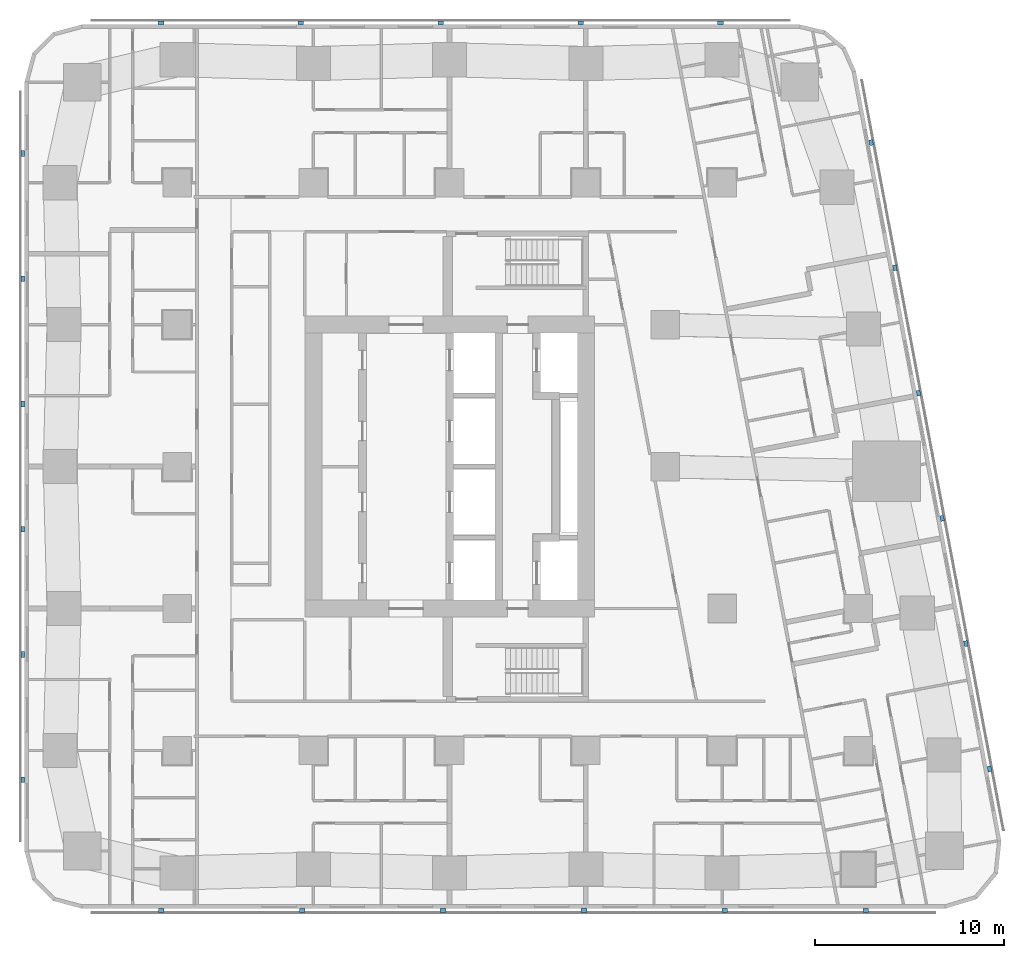
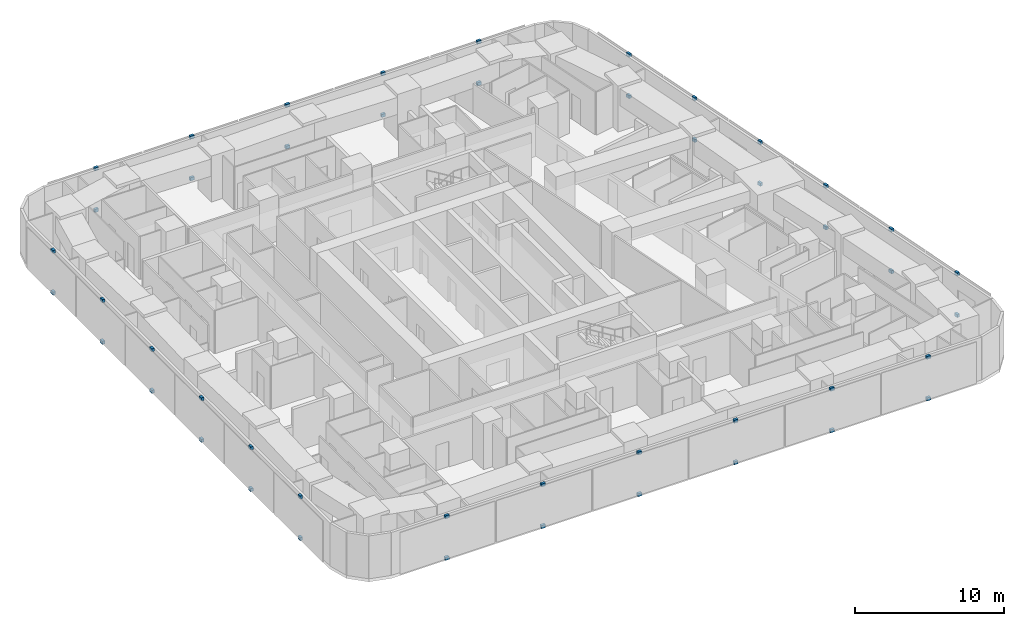
# One storey, part 12 of 15: 46 discrete accessories.
"""IFC4 building model written with IfcOpenShell, lengths in metres."""

from ifc_helpers import new_model, si_unit, direction, frame, origin, origin_2d, place, context, subcontext, project, spatial, rectangle, extrude, material, type_object, element, save


model = new_model("IFC4")

# Units and contexts
model_context = context("Model", 3, precision=1e-05, world=origin(), true_north=direction((0.0, 1.0)))
body_context = subcontext(model_context, "Body", "Model", "MODEL_VIEW")
ifc_project = project(units=[si_unit("LENGTHUNIT", "METRE"), si_unit("AREAUNIT", "SQUARE_METRE"), si_unit("VOLUMEUNIT", "CUBIC_METRE"), si_unit("PLANEANGLEUNIT", "RADIAN"), si_unit("MASSUNIT", "GRAM", prefix="KILO")], contexts=[model_context])

# Site, building, storey
site_placement = place(None, origin())
site = spatial("IfcSite", under=ifc_project, at=site_placement, CompositionType="ELEMENT")
building_placement = place(site_placement, origin())
building = spatial("IfcBuilding", under=site, at=building_placement, Name="Sheger Commons Tower", CompositionType="ELEMENT")
storey_placement = place(building_placement, frame((0.0, 0.0, 169.550048828125)))
storey = spatial("IfcBuildingStorey", under=building, at=storey_placement, Name="L43", CompositionType="ELEMENT", Elevation=169.550048828125)

# Discrete accessories
ifc_material = material(Name="Black painted steel bracket", Category="steel")
discrete_accessory_type = type_object("IfcDiscreteAccessoryType", Name="SCREEN BRACKET 300x200x250", PredefinedType="BRACKET", material=ifc_material)
for number, where, z_axis, x_axis, name in (
    (1, (6.37109375, -0.949951171875, -0.10009765625), (0.0, 0.0, 1.0), (1.0, 0.0, 0.0), "Solar screen foot bracket"),
    (2, (6.37109375, -0.949951171875, 3.300048828125), (0.0, 0.0, 1.0), (1.0, 0.0, 0.0), "Solar screen head bracket"),
    (3, (13.81396484375, -0.949951171875, -0.10009765625), (0.0, 0.0, 1.0), (1.0, 0.0, 0.0), "Solar screen foot bracket"),
    (4, (13.81396484375, -0.949951171875, 3.300048828125), (0.0, 0.0, 1.0), (1.0, 0.0, 0.0), "Solar screen head bracket"),
    (5, (21.257080078125, -0.949951171875, -0.10009765625), (0.0, 0.0, 1.0), (1.0, 0.0, 0.0), "Solar screen foot bracket"),
    (6, (21.257080078125, -0.949951171875, 3.300048828125), (0.0, 0.0, 1.0), (1.0, 0.0, 0.0), "Solar screen head bracket"),
    (7, (28.698974609375, -0.949951171875, -0.10009765625), (0.0, 0.0, 1.0), (1.0, 0.0, 0.0), "Solar screen foot bracket"),
    (8, (28.698974609375, -0.949951171875, 3.300048828125), (0.0, 0.0, 1.0), (1.0, 0.0, 0.0), "Solar screen head bracket"),
    (9, (36.14208984375, -0.949951171875, -0.10009765625), (0.0, 0.0, 1.0), (1.0, 0.0, 0.0), "Solar screen foot bracket"),
    (10, (36.14208984375, -0.949951171875, 3.300048828125), (0.0, 0.0, 1.0), (1.0, 0.0, 0.0), "Solar screen head bracket"),
    (11, (43.5849609375, -0.949951171875, -0.10009765625), (0.0, 0.0, 1.0), (1.0, 0.0, 0.0), "Solar screen foot bracket"),
    (12, (43.5849609375, -0.949951171875, 3.300048828125), (0.0, 0.0, 1.0), (1.0, 0.0, 0.0), "Solar screen head bracket"),
    (13, (50.134033203125, 6.527099609375, -0.10009765625), (0.0, 0.0, 1.0), (-0.185615165645, 0.982622516678, 0.0), "Solar screen foot bracket"),
    (14, (50.134033203125, 6.527099609375, 3.300048828125), (0.0, 0.0, 1.0), (-0.185615165645, 0.982622516678, 0.0), "Solar screen head bracket"),
    (15, (48.884033203125, 13.14599609375, -0.10009765625), (0.0, 0.0, 1.0), (-0.185615165645, 0.982622516678, 0.0), "Solar screen foot bracket"),
    (16, (48.884033203125, 13.14599609375, 3.300048828125), (0.0, 0.0, 1.0), (-0.185615165645, 0.982622516678, 0.0), "Solar screen head bracket"),
    (17, (47.633056640625, 19.76611328125, -0.10009765625), (0.0, 0.0, 1.0), (-0.185615165645, 0.982622516678, 0.0), "Solar screen foot bracket"),
    (18, (47.633056640625, 19.76611328125, 3.300048828125), (0.0, 0.0, 1.0), (-0.185615165645, 0.982622516678, 0.0), "Solar screen head bracket"),
    (19, (46.383056640625, 26.385009765625, -0.10009765625), (0.0, 0.0, 1.0), (-0.185615165645, 0.982622516678, 0.0), "Solar screen foot bracket"),
    (20, (46.383056640625, 26.385009765625, 3.300048828125), (0.0, 0.0, 1.0), (-0.185615165645, 0.982622516678, 0.0), "Solar screen head bracket"),
    (21, (45.133056640625, 33.0048828125, -0.10009765625), (0.0, 0.0, 1.0), (-0.185615165645, 0.982622516678, 0.0), "Solar screen foot bracket"),
    (22, (45.133056640625, 33.0048828125, 3.300048828125), (0.0, 0.0, 1.0), (-0.185615165645, 0.982622516678, 0.0), "Solar screen head bracket"),
    (23, (43.882080078125, 39.6240234375, -0.10009765625), (0.0, 0.0, 1.0), (-0.185615165645, 0.982622516678, 0.0), "Solar screen foot bracket"),
    (24, (43.882080078125, 39.6240234375, 3.300048828125), (0.0, 0.0, 1.0), (-0.185615165645, 0.982622516678, 0.0), "Solar screen head bracket"),
    (25, (35.9208984375, 45.949951171875, -0.10009765625), (0.0, 0.0, 1.0), (-1.0, 0.0, 0.0), "Solar screen foot bracket"),
    (26, (35.9208984375, 45.949951171875, 3.300048828125), (0.0, 0.0, 1.0), (-1.0, 0.0, 0.0), "Solar screen head bracket"),
    (27, (28.528076171875, 45.949951171875, -0.10009765625), (0.0, 0.0, 1.0), (-1.0, 0.0, 0.0), "Solar screen foot bracket"),
    (28, (28.528076171875, 45.949951171875, 3.300048828125), (0.0, 0.0, 1.0), (-1.0, 0.0, 0.0), "Solar screen head bracket"),
    (29, (21.134033203125, 45.949951171875, -0.10009765625), (0.0, 0.0, 1.0), (-1.0, 0.0, 0.0), "Solar screen foot bracket"),
    (30, (21.134033203125, 45.949951171875, 3.300048828125), (0.0, 0.0, 1.0), (-1.0, 0.0, 0.0), "Solar screen head bracket"),
    (31, (13.739990234375, 45.949951171875, -0.10009765625), (0.0, 0.0, 1.0), (-1.0, 0.0, 0.0), "Solar screen foot bracket"),
    (32, (13.739990234375, 45.949951171875, 3.300048828125), (0.0, 0.0, 1.0), (-1.0, 0.0, 0.0), "Solar screen head bracket"),
    (33, (6.346923828125, 45.949951171875, -0.10009765625), (0.0, 0.0, 1.0), (-1.0, 0.0, 0.0), "Solar screen foot bracket"),
    (34, (6.346923828125, 45.949951171875, 3.300048828125), (0.0, 0.0, 1.0), (-1.0, 0.0, 0.0), "Solar screen head bracket"),
    (35, (-0.949951171875, 39.0419921875, -0.10009765625), (0.0, 0.0, 1.0), (0.0, -1.0, 0.0), "Solar screen foot bracket"),
    (36, (-0.949951171875, 39.0419921875, 3.300048828125), (0.0, 0.0, 1.0), (0.0, -1.0, 0.0), "Solar screen head bracket"),
    (37, (-0.949951171875, 32.425048828125, -0.10009765625), (0.0, 0.0, 1.0), (0.0, -1.0, 0.0), "Solar screen foot bracket"),
    (38, (-0.949951171875, 32.425048828125, 3.300048828125), (0.0, 0.0, 1.0), (0.0, -1.0, 0.0), "Solar screen head bracket"),
    (39, (-0.949951171875, 25.80810546875, -0.10009765625), (0.0, 0.0, 1.0), (0.0, -1.0, 0.0), "Solar screen foot bracket"),
    (40, (-0.949951171875, 25.80810546875, 3.300048828125), (0.0, 0.0, 1.0), (0.0, -1.0, 0.0), "Solar screen head bracket"),
    (41, (-0.949951171875, 19.19189453125, -0.10009765625), (0.0, 0.0, 1.0), (0.0, -1.0, 0.0), "Solar screen foot bracket"),
    (42, (-0.949951171875, 19.19189453125, 3.300048828125), (0.0, 0.0, 1.0), (0.0, -1.0, 0.0), "Solar screen head bracket"),
    (43, (-0.949951171875, 12.574951171875, -0.10009765625), (0.0, 0.0, 1.0), (0.0, -1.0, 0.0), "Solar screen foot bracket"),
    (44, (-0.949951171875, 12.574951171875, 3.300048828125), (0.0, 0.0, 1.0), (0.0, -1.0, 0.0), "Solar screen head bracket"),
    (45, (-0.949951171875, 5.9580078125, -0.10009765625), (0.0, 0.0, 1.0), (0.0, -1.0, 0.0), "Solar screen foot bracket"),
    (46, (-0.949951171875, 5.9580078125, 3.300048828125), (0.0, 0.0, 1.0), (0.0, -1.0, 0.0), "Solar screen head bracket"),
):
    element("IfcDiscreteAccessory", number, at=place(storey_placement, frame(where, z_axis=z_axis, x_axis=x_axis)), inside=storey, type_object=discrete_accessory_type, Name=name, PredefinedType="BRACKET", context=body_context, shape_type="SweptSolid", body=[
        extrude(rectangle(XDim=0.300048828125, YDim=0.199951171875, at=origin_2d()), origin(), (0.0, 0.0, 1.0), 0.25),
    ])

save(model, "model.ifc")
